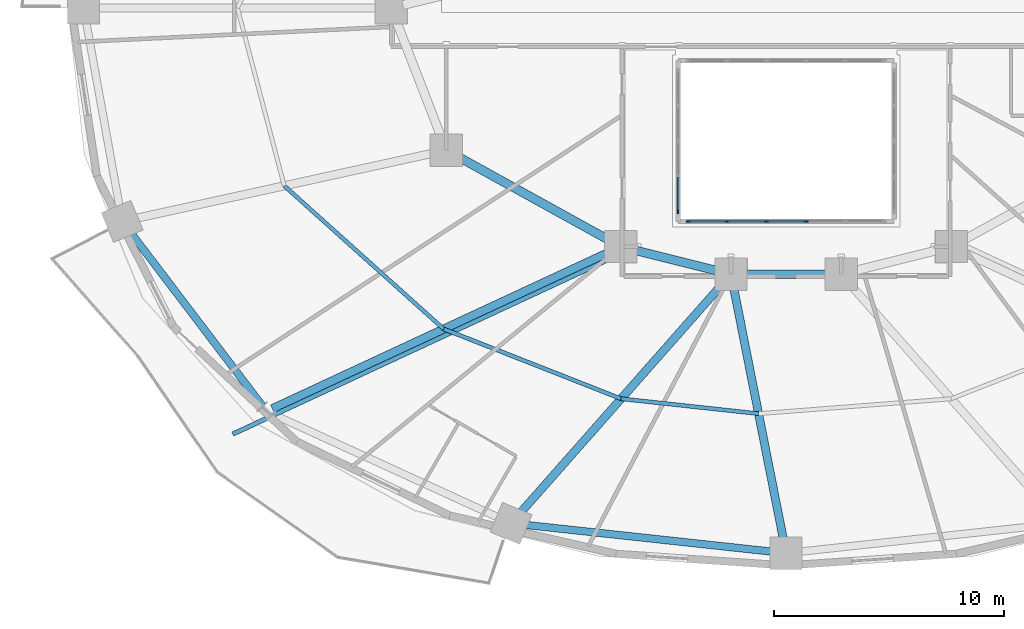
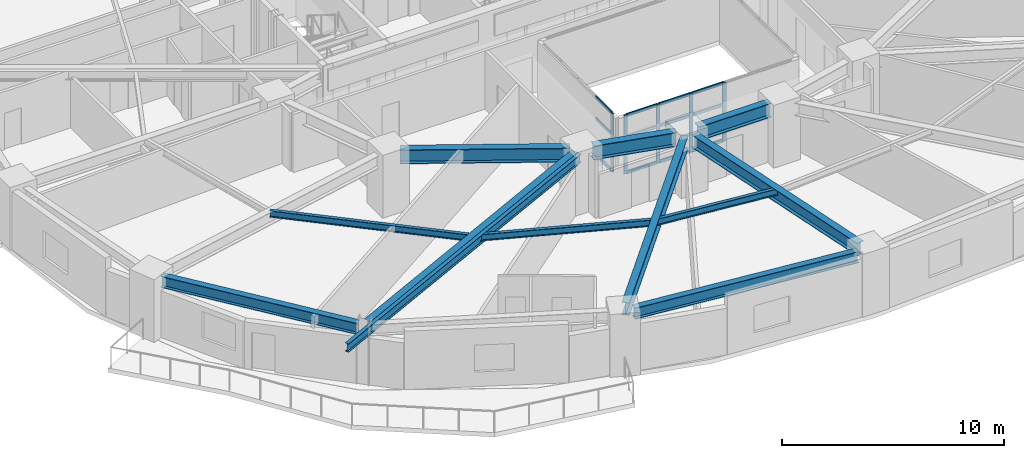
# One storey, part 3 of 17: 17 members, 12 beams, 2 elements without a shape of their own.
"""IFC4 building model written with IfcOpenShell, lengths in metres."""

from ifc_helpers import new_model, si_unit, direction, frame, origin, origin_2d, place, context, subcontext, project, spatial, rectangle, i_section, extrude, material, material_profile, profile_set, type_object, element, aggregate, save


model = new_model("IFC4")

# Units and contexts
model_context = context("Model", 3, precision=1e-05, world=origin(), true_north=direction((0.0, 1.0)))
body_context = subcontext(model_context, "Body", "Model", "MODEL_VIEW")
ifc_project = project(units=[si_unit("LENGTHUNIT", "METRE"), si_unit("AREAUNIT", "SQUARE_METRE"), si_unit("VOLUMEUNIT", "CUBIC_METRE"), si_unit("PLANEANGLEUNIT", "RADIAN"), si_unit("MASSUNIT", "GRAM", prefix="KILO")], contexts=[model_context])

# Site, building, storey
site_placement = place(None, origin())
site = spatial("IfcSite", under=ifc_project, at=site_placement, CompositionType="ELEMENT")
building_placement = place(site_placement, origin())
building = spatial("IfcBuilding", under=site, at=building_placement, Name="Haldorwick Loom Tower", CompositionType="ELEMENT")
storey_placement = place(building_placement, frame((0.0, 0.0, 65.39990234375)))
storey = spatial("IfcBuildingStorey", under=building, at=storey_placement, Name="L17", CompositionType="ELEMENT", Elevation=65.39990234375)

# Curtain wall, members
ifc_material_1 = material(Name="Thermally Broken Anodized Aluminium Curtain Wall Framing", Category="aluminium")
curtain_wall_type = type_object("IfcCurtainWallType", Name="ARC-CW-03", PredefinedType="NOTDEFINED", material=ifc_material_1)
curtain_wall_1_placement = place(storey_placement, origin())
curtain_wall_1 = element("IfcCurtainWall", 1, at=curtain_wall_1_placement, inside=storey, type_object=curtain_wall_type, Name="L17 Atrium Glazed Screen S", PredefinedType="NOTDEFINED")
ifc_material_profile_1 = material_profile(ifc_material_1, rectangle(XDim=0.06591796875, YDim=0.18505859375, at=origin_2d()), Name="ALU_MUL_66X185", Category="aluminium")
ifc_profile_set_1 = profile_set([ifc_material_profile_1], Name="Thermally Broken Anodized Aluminium Curtain Wall Framing")
member_type_1 = type_object("IfcMemberType", Name="ARC-CWM-03", PredefinedType="MULLION", material=ifc_profile_set_1)
member_1_placement = place(storey_placement, frame((36.860107421875, 16.699951171875, 0.0), z_axis=(0.0, 0.0, 1.0), x_axis=(0.0, -1.0, 0.0)))
member_1 = element("IfcMember", 2, at=member_1_placement, type_object=member_type_1, Name="CW-03 mullion 3", PredefinedType="MULLION", context=body_context, shape_type="SweptSolid", body=[
    extrude(rectangle(XDim=0.06591796875, YDim=0.18505859375, at=origin_2d()), origin(), (0.0, 0.0, 1.0), 3.210205078125),
])
member_2_placement = place(storey_placement, frame((35.139892578125, 16.699951171875, 0.0), z_axis=(0.0, 0.0, 1.0), x_axis=(0.0, -1.0, 0.0)))
member_2 = element("IfcMember", 3, at=member_2_placement, type_object=member_type_1, Name="CW-03 mullion 4", PredefinedType="MULLION", context=body_context, shape_type="SweptSolid", body=[
    extrude(rectangle(XDim=0.06591796875, YDim=0.18505859375, at=origin_2d()), origin(), (0.0, 0.0, 1.0), 3.210205078125),
])
member_3_placement = place(storey_placement, frame((33.419921875, 16.699951171875, 0.0), z_axis=(0.0, 0.0, 1.0), x_axis=(0.0, -1.0, 0.0)))
member_3 = element("IfcMember", 4, at=member_3_placement, type_object=member_type_1, Name="CW-03 mullion 5", PredefinedType="MULLION", context=body_context, shape_type="SweptSolid", body=[
    extrude(rectangle(XDim=0.06591796875, YDim=0.18505859375, at=origin_2d()), origin(), (0.0, 0.0, 1.0), 3.210205078125),
])
member_4_placement = place(storey_placement, frame((31.73291015625, 16.699951171875, 0.0), z_axis=(0.0, 0.0, 1.0), x_axis=(0.0, -1.0, 0.0)))
member_4 = element("IfcMember", 5, at=member_4_placement, type_object=member_type_1, Name="CW-03 mullion 6", PredefinedType="MULLION", context=body_context, shape_type="SweptSolid", body=[
    extrude(rectangle(XDim=0.06591796875, YDim=0.18505859375, at=origin_2d()), origin(), (0.0, 0.0, 1.0), 3.210205078125),
])

# Curtain wall, member
curtain_wall_2_placement = place(storey_placement, origin())
curtain_wall_2 = element("IfcCurtainWall", 6, at=curtain_wall_2_placement, inside=storey, type_object=curtain_wall_type, Name="L17 Atrium Glazed Screen W", PredefinedType="NOTDEFINED")
member_5_placement = place(storey_placement, frame((31.300048828125, 17.133056640625, 0.0), z_axis=(0.0, 0.0, 1.0), x_axis=(-1.0, 0.0, 0.0)))
member_5 = element("IfcMember", 7, at=member_5_placement, type_object=member_type_1, Name="CW-03 mullion 1", PredefinedType="MULLION", context=body_context, shape_type="SweptSolid", body=[
    extrude(rectangle(XDim=0.06591796875, YDim=0.18505859375, at=origin_2d()), origin(), (0.0, 0.0, 1.0), 3.210205078125),
])

# Member
ifc_material_profile_2 = material_profile(ifc_material_1, rectangle(XDim=0.06591796875, YDim=0.1650390625, at=origin_2d()), Name="ALU_TRN_66X165", Category="aluminium")
ifc_profile_set_2 = profile_set([ifc_material_profile_2], Name="Thermally Broken Anodized Aluminium Curtain Wall Framing")
member_type_2 = type_object("IfcMemberType", Name="ARC-CWT-03", PredefinedType="USERDEFINED", material=ifc_profile_set_2)
member_6_placement = place(storey_placement, frame((36.826904296875, 16.699951171875, 0.033203125), z_axis=(-1.0, 0.0, 0.0), x_axis=(0.0, -1.0, 0.0)))
member_6 = element("IfcMember", 8, at=member_6_placement, type_object=member_type_2, Name="CW-03 transom 3.1", ObjectType="TRANSOM", PredefinedType="USERDEFINED", context=body_context, shape_type="SweptSolid", body=[
    extrude(rectangle(XDim=0.06591796875, YDim=0.1650390625, at=origin_2d()), origin(), (0.0, 0.0, 1.0), 1.65380859375),
])

member_7_placement = place(storey_placement, frame((36.826904296875, 16.699951171875, 2.0), z_axis=(-1.0, 0.0, 0.0), x_axis=(0.0, -1.0, 0.0)))
member_7 = element("IfcMember", 9, at=member_7_placement, type_object=member_type_2, Name="CW-03 transom 3.2", ObjectType="TRANSOM", PredefinedType="USERDEFINED", context=body_context, shape_type="SweptSolid", body=[
    extrude(rectangle(XDim=0.06591796875, YDim=0.1650390625, at=origin_2d()), origin(), (0.0, 0.0, 1.0), 1.65380859375),
])

member_8_placement = place(storey_placement, frame((36.826904296875, 16.699951171875, 3.177001953125), z_axis=(-1.0, 0.0, 0.0), x_axis=(0.0, -1.0, 0.0)))
member_8 = element("IfcMember", 10, at=member_8_placement, type_object=member_type_2, Name="CW-03 transom 3.3", ObjectType="TRANSOM", PredefinedType="USERDEFINED", context=body_context, shape_type="SweptSolid", body=[
    extrude(rectangle(XDim=0.06591796875, YDim=0.1650390625, at=origin_2d()), origin(), (0.0, 0.0, 1.0), 1.65380859375),
])

member_9_placement = place(storey_placement, frame((35.10693359375, 16.699951171875, 0.033203125), z_axis=(-1.0, 0.0, 0.0), x_axis=(0.0, -1.0, 0.0)))
member_9 = element("IfcMember", 11, at=member_9_placement, type_object=member_type_2, Name="CW-03 transom 4.1", ObjectType="TRANSOM", PredefinedType="USERDEFINED", context=body_context, shape_type="SweptSolid", body=[
    extrude(rectangle(XDim=0.06591796875, YDim=0.1650390625, at=origin_2d()), origin(), (0.0, 0.0, 1.0), 1.654052734375),
])

member_10_placement = place(storey_placement, frame((35.10693359375, 16.699951171875, 2.0), z_axis=(-1.0, 0.0, 0.0), x_axis=(0.0, -1.0, 0.0)))
member_10 = element("IfcMember", 12, at=member_10_placement, type_object=member_type_2, Name="CW-03 transom 4.2", ObjectType="TRANSOM", PredefinedType="USERDEFINED", context=body_context, shape_type="SweptSolid", body=[
    extrude(rectangle(XDim=0.06591796875, YDim=0.1650390625, at=origin_2d()), origin(), (0.0, 0.0, 1.0), 1.654052734375),
])

member_11_placement = place(storey_placement, frame((35.10693359375, 16.699951171875, 3.177001953125), z_axis=(-1.0, 0.0, 0.0), x_axis=(0.0, -1.0, 0.0)))
member_11 = element("IfcMember", 13, at=member_11_placement, type_object=member_type_2, Name="CW-03 transom 4.3", ObjectType="TRANSOM", PredefinedType="USERDEFINED", context=body_context, shape_type="SweptSolid", body=[
    extrude(rectangle(XDim=0.06591796875, YDim=0.1650390625, at=origin_2d()), origin(), (0.0, 0.0, 1.0), 1.654052734375),
])

member_12_placement = place(storey_placement, frame((33.386962890625, 16.699951171875, 0.033203125), z_axis=(-1.0, 0.0, 0.0), x_axis=(0.0, -1.0, 0.0)))
member_12 = element("IfcMember", 14, at=member_12_placement, type_object=member_type_2, Name="CW-03 transom 5.1", ObjectType="TRANSOM", PredefinedType="USERDEFINED", context=body_context, shape_type="SweptSolid", body=[
    extrude(rectangle(XDim=0.06591796875, YDim=0.1650390625, at=origin_2d()), origin(), (0.0, 0.0, 1.0), 1.620849609375),
])

member_13_placement = place(storey_placement, frame((33.386962890625, 16.699951171875, 2.0), z_axis=(-1.0, 0.0, 0.0), x_axis=(0.0, -1.0, 0.0)))
member_13 = element("IfcMember", 15, at=member_13_placement, type_object=member_type_2, Name="CW-03 transom 5.2", ObjectType="TRANSOM", PredefinedType="USERDEFINED", context=body_context, shape_type="SweptSolid", body=[
    extrude(rectangle(XDim=0.06591796875, YDim=0.1650390625, at=origin_2d()), origin(), (0.0, 0.0, 1.0), 1.620849609375),
])

member_14_placement = place(storey_placement, frame((33.386962890625, 16.699951171875, 3.177001953125), z_axis=(-1.0, 0.0, 0.0), x_axis=(0.0, -1.0, 0.0)))
member_14 = element("IfcMember", 16, at=member_14_placement, type_object=member_type_2, Name="CW-03 transom 5.3", ObjectType="TRANSOM", PredefinedType="USERDEFINED", context=body_context, shape_type="SweptSolid", body=[
    extrude(rectangle(XDim=0.06591796875, YDim=0.1650390625, at=origin_2d()), origin(), (0.0, 0.0, 1.0), 1.620849609375),
])

aggregate(curtain_wall_1, [member_1, member_2, member_3, member_4, member_6, member_7, member_8, member_9, member_10, member_11, member_12, member_13, member_14])

member_15_placement = place(storey_placement, frame((31.300048828125, 17.166015625, 0.033203125), z_axis=(0.0, 1.0, 0.0), x_axis=(-1.0, 0.0, 0.0)))
member_15 = element("IfcMember", 17, at=member_15_placement, type_object=member_type_2, Name="CW-03 transom 1.1", ObjectType="TRANSOM", PredefinedType="USERDEFINED", context=body_context, shape_type="SweptSolid", body=[
    extrude(rectangle(XDim=0.06591796875, YDim=0.1650390625, at=origin_2d()), origin(), (0.0, 0.0, 1.0), 1.450927734375),
])

member_16_placement = place(storey_placement, frame((31.300048828125, 17.166015625, 2.0), z_axis=(0.0, 1.0, 0.0), x_axis=(-1.0, 0.0, 0.0)))
member_16 = element("IfcMember", 18, at=member_16_placement, type_object=member_type_2, Name="CW-03 transom 1.2", ObjectType="TRANSOM", PredefinedType="USERDEFINED", context=body_context, shape_type="SweptSolid", body=[
    extrude(rectangle(XDim=0.06591796875, YDim=0.1650390625, at=origin_2d()), origin(), (0.0, 0.0, 1.0), 1.450927734375),
])

member_17_placement = place(storey_placement, frame((31.300048828125, 17.166015625, 3.177001953125), z_axis=(0.0, 1.0, 0.0), x_axis=(-1.0, 0.0, 0.0)))
member_17 = element("IfcMember", 19, at=member_17_placement, type_object=member_type_2, Name="CW-03 transom 1.3", ObjectType="TRANSOM", PredefinedType="USERDEFINED", context=body_context, shape_type="SweptSolid", body=[
    extrude(rectangle(XDim=0.06591796875, YDim=0.1650390625, at=origin_2d()), origin(), (0.0, 0.0, 1.0), 1.450927734375),
])

aggregate(curtain_wall_2, [member_5, member_15, member_16, member_17])

# Beams
ifc_material_2 = material(Name="Steel CSA G40.21 350W", Category="steel")
ifc_material_profile_3 = material_profile(ifc_material_2, i_section(OverallWidth=0.193115234375, OverallDepth=0.466064453125, WebThickness=0.011474609375, FlangeThickness=0.01904296875, at=origin_2d()), Name="W460X97", Category="steel")
ifc_profile_set_3 = profile_set([ifc_material_profile_3], Name="Steel CSA G40.21 350W")
beam_type_1 = type_object("IfcBeamType", Name="STR-BM-BAL460", PredefinedType="BEAM", material=ifc_profile_set_3)
beam_1_placement = place(storey_placement, frame((28.446533203125, 15.126953125, 2.97705078125), z_axis=(-0.906840784049, -0.421473359047, 0.0), x_axis=(0.421473359047, -0.906840784049, 0.0)))
element("IfcBeam", 20, at=beam_1_placement, inside=storey, type_object=beam_type_1, Name="L17 Continuous Back-Spanned Balcony Beam 2", PredefinedType="BEAM", context=body_context, shape_type="SweptSolid", body=[
    extrude(i_section(OverallWidth=0.193115234375, OverallDepth=0.466064453125, WebThickness=0.011474609375, FlangeThickness=0.01904296875, at=origin_2d()), origin(), (0.0, 0.0, 1.0), 18.245361328125),
])
ifc_material_profile_4 = material_profile(ifc_material_2, i_section(OverallWidth=0.172119140625, OverallDepth=0.35791015625, WebThickness=0.0078125, FlangeThickness=0.01318359375, at=origin_2d()), Name="W360X57", Category="steel")
ifc_profile_set_4 = profile_set([ifc_material_profile_4], Name="Steel CSA G40.21 350W")
beam_type_2 = type_object("IfcBeamType", Name="STR-BM-J360", PredefinedType="JOIST", material=ifc_profile_set_4)
beam_2_placement = place(storey_placement, frame((14.141357421875, 18.25048828125, 3.031005859375), z_axis=(0.743981830112, -0.668199847698, 0.0), x_axis=(0.668199847698, 0.743981830112, 0.0)))
element("IfcBeam", 21, at=beam_2_placement, inside=storey, type_object=beam_type_2, Name="L17 Mid-Bay Secondary Joist 10", PredefinedType="JOIST", context=body_context, shape_type="SweptSolid", body=[
    extrude(i_section(OverallWidth=0.172119140625, OverallDepth=0.35791015625, WebThickness=0.0078125, FlangeThickness=0.01318359375, at=origin_2d()), origin(), (0.0, 0.0, 1.0), 9.3330078125),
])
beam_3_placement = place(storey_placement, frame((21.0849609375, 12.01416015625, 3.031005859375), z_axis=(0.930584838237, -0.366076301941, 0.0), x_axis=(0.366076301941, 0.930584838237, 0.0)))
element("IfcBeam", 22, at=beam_3_placement, inside=storey, type_object=beam_type_2, Name="L17 Mid-Bay Secondary Joist 11", PredefinedType="JOIST", context=body_context, shape_type="SweptSolid", body=[
    extrude(i_section(OverallWidth=0.172119140625, OverallDepth=0.35791015625, WebThickness=0.0078125, FlangeThickness=0.01318359375, at=origin_2d()), origin(), (0.0, 0.0, 1.0), 8.302490234375),
])
beam_4_placement = place(storey_placement, frame((28.81103515625, 8.974853515625, 3.031005859375), z_axis=(0.994163660215, -0.107882420753, 0.0), x_axis=(0.107882420753, 0.994163660215, 0.0)))
element("IfcBeam", 23, at=beam_4_placement, inside=storey, type_object=beam_type_2, Name="L17 Mid-Bay Secondary Joist 12", PredefinedType="JOIST", context=body_context, shape_type="SweptSolid", body=[
    extrude(i_section(OverallWidth=0.172119140625, OverallDepth=0.35791015625, WebThickness=0.0078125, FlangeThickness=0.01318359375, at=origin_2d()), origin(), (0.0, 0.0, 1.0), 6.024169921875),
])
ifc_material_profile_5 = material_profile(ifc_material_2, i_section(OverallWidth=0.324951171875, OverallDepth=0.615966796875, WebThickness=0.013916015625, FlangeThickness=0.021484375, at=origin_2d()), Name="W610X174", Category="steel")
ifc_profile_set_5 = profile_set([ifc_material_profile_5], Name="Steel CSA G40.21 350W")
beam_type_3 = type_object("IfcBeamType", Name="STR-BM-SP610", PredefinedType="SPANDREL", material=ifc_profile_set_5)
beam_5_placement = place(storey_placement, frame((7.397216796875, 16.286865234375, 2.902099609375), z_axis=(0.605084557744, -0.796161213562, 0.0), x_axis=(0.796161213562, 0.605084557744, 0.0)))
element("IfcBeam", 24, at=beam_5_placement, inside=storey, type_object=beam_type_3, Name="L17 Perimeter Spandrel 10", PredefinedType="SPANDREL", context=body_context, shape_type="SweptSolid", body=[
    extrude(i_section(OverallWidth=0.324951171875, OverallDepth=0.615966796875, WebThickness=0.013916015625, FlangeThickness=0.021484375, at=origin_2d()), origin(), (0.0, 0.0, 1.0), 9.595703125),
])
beam_6_placement = place(storey_placement, frame((24.5390625, 3.49365234375, 2.902099609375), z_axis=(0.994164438636, -0.107875247167, 0.0), x_axis=(0.107875247167, 0.994164438636, 0.0)))
element("IfcBeam", 25, at=beam_6_placement, inside=storey, type_object=beam_type_3, Name="L17 Perimeter Spandrel 12", PredefinedType="SPANDREL", context=body_context, shape_type="SweptSolid", body=[
    extrude(i_section(OverallWidth=0.324951171875, OverallDepth=0.615966796875, WebThickness=0.013916015625, FlangeThickness=0.021484375, at=origin_2d()), origin(), (0.0, 0.0, 1.0), 11.008056640625),
])
ifc_material_profile_6 = material_profile(ifc_material_2, i_section(OverallWidth=0.35498046875, OverallDepth=0.695068359375, WebThickness=0.015380859375, FlangeThickness=0.02490234375, at=origin_2d()), Name="W690X217", Category="steel")
ifc_profile_set_6 = profile_set([ifc_material_profile_6], Name="Steel CSA G40.21 350W")
beam_type_4 = type_object("IfcBeamType", Name="STR-BM-W690", PredefinedType="BEAM", material=ifc_profile_set_6)
beam_7_placement = place(storey_placement, frame((28.328369140625, 15.380859375, 2.862548828125), z_axis=(-0.90683498532, -0.421485835349, 0.0), x_axis=(0.421485835349, -0.90683498532, 0.0)))
element("IfcBeam", 26, at=beam_7_placement, inside=storey, type_object=beam_type_4, Name="L17 Radial Floor Girder 11", PredefinedType="BEAM", context=body_context, shape_type="SweptSolid", body=[
    extrude(i_section(OverallWidth=0.35498046875, OverallDepth=0.695068359375, WebThickness=0.015380859375, FlangeThickness=0.02490234375, at=origin_2d()), origin(), (0.0, 0.0, 1.0), 16.220458984375),
])
beam_8_placement = place(storey_placement, frame((33.255859375, 14.01025390625, 2.862548828125), z_axis=(-0.661774304332, -0.749703121326, 0.0), x_axis=(0.749703121326, -0.661774304332, 0.0)))
element("IfcBeam", 27, at=beam_8_placement, inside=storey, type_object=beam_type_4, Name="L17 Radial Floor Girder 12", PredefinedType="BEAM", context=body_context, shape_type="SweptSolid", body=[
    extrude(i_section(OverallWidth=0.35498046875, OverallDepth=0.695068359375, WebThickness=0.015380859375, FlangeThickness=0.02490234375, at=origin_2d()), origin(), (0.0, 0.0, 1.0), 13.43310546875),
])
beam_9_placement = place(storey_placement, frame((33.70068359375, 13.889892578125, 2.862548828125), z_axis=(0.193785651115, -0.981043893729, 0.0), x_axis=(0.981043893729, 0.193785651115, 0.0)))
element("IfcBeam", 28, at=beam_9_placement, inside=storey, type_object=beam_type_4, Name="L17 Radial Floor Girder 13", PredefinedType="BEAM", context=body_context, shape_type="SweptSolid", body=[
    extrude(i_section(OverallWidth=0.35498046875, OverallDepth=0.695068359375, WebThickness=0.015380859375, FlangeThickness=0.02490234375, at=origin_2d()), origin(), (0.0, 0.0, 1.0), 11.344970703125),
])
ifc_material_profile_7 = material_profile(ifc_material_2, i_section(OverallWidth=0.381103515625, OverallDepth=0.77294921875, WebThickness=0.0166015625, FlangeThickness=0.027587890625, at=origin_2d()), Name="W760X257", Category="steel")
ifc_profile_set_7 = profile_set([ifc_material_profile_7], Name="Steel CSA G40.21 350W")
beam_type_5 = type_object("IfcBeamType", Name="STR-BM-W760", PredefinedType="BEAM", material=ifc_profile_set_7)
beam_10_placement = place(storey_placement, frame((37.8798828125, 14.39990234375, 2.823486328125), z_axis=(-1.0, 0.0, 0.0), x_axis=(0.0, -1.0, 0.0)))
element("IfcBeam", 29, at=beam_10_placement, inside=storey, type_object=beam_type_5, Name="L17 Inner Ring Girder 5", PredefinedType="BEAM", context=body_context, shape_type="SweptSolid", body=[
    extrude(i_section(OverallWidth=0.381103515625, OverallDepth=0.77294921875, WebThickness=0.0166015625, FlangeThickness=0.027587890625, at=origin_2d()), origin(), (0.0, 0.0, 1.0), 3.759765625),
])
beam_11_placement = place(storey_placement, frame((33.095458984375, 14.526123046875, 2.823486328125), z_axis=(-0.970142500145, 0.242535625036, 0.0), x_axis=(-0.242535625036, -0.970142500145, 0.0)))
element("IfcBeam", 30, at=beam_11_placement, inside=storey, type_object=beam_type_5, Name="L17 Inner Ring Girder 6", PredefinedType="BEAM", context=body_context, shape_type="SweptSolid", body=[
    extrude(i_section(OverallWidth=0.381103515625, OverallDepth=0.77294921875, WebThickness=0.0166015625, FlangeThickness=0.027587890625, at=origin_2d()), origin(), (0.0, 0.0, 1.0), 3.90771484375),
])
beam_12_placement = place(storey_placement, frame((28.344970703125, 15.8515625, 2.823486328125), z_axis=(-0.875244382146, 0.483680960471, 0.0), x_axis=(-0.483680960471, -0.875244382146, 0.0)))
element("IfcBeam", 31, at=beam_12_placement, inside=storey, type_object=beam_type_5, Name="L17 Inner Ring Girder 7", PredefinedType="BEAM", context=body_context, shape_type="SweptSolid", body=[
    extrude(i_section(OverallWidth=0.381103515625, OverallDepth=0.77294921875, WebThickness=0.0166015625, FlangeThickness=0.027587890625, at=origin_2d()), origin(), (0.0, 0.0, 1.0), 7.6435546875),
])

save(model, "model.ifc")
